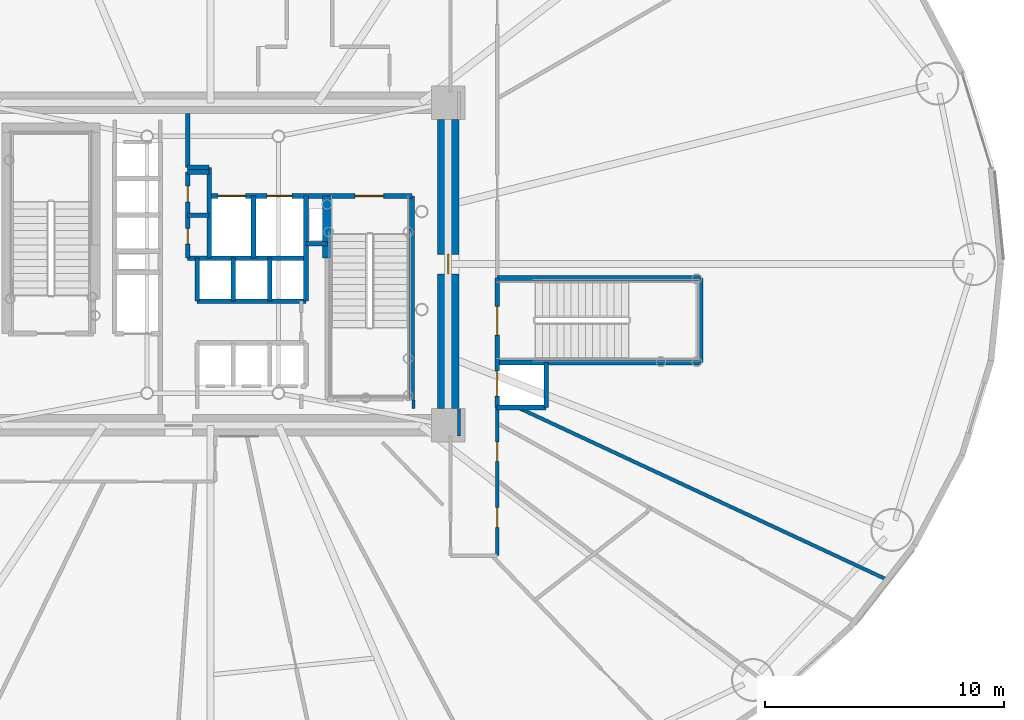
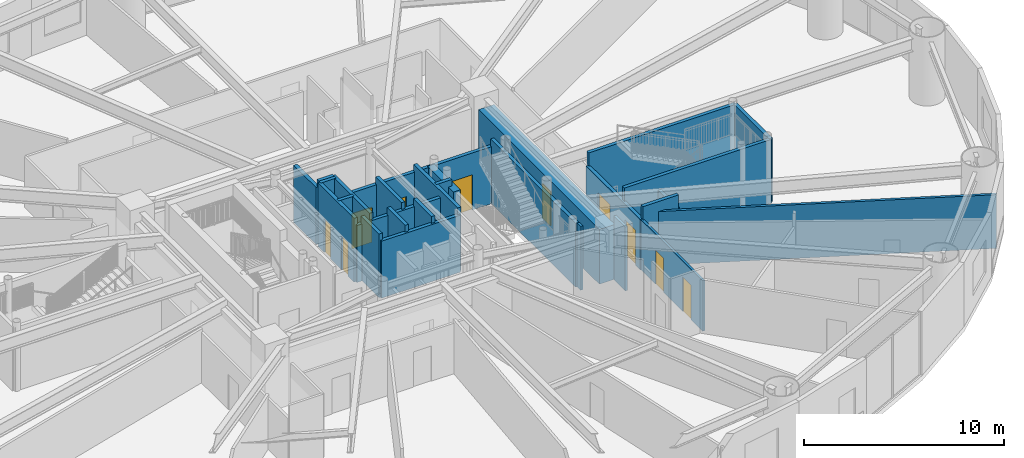
# One storey, part 15 of 27: 28 walls, 10 doors, 10 openings.
"""IFC4 building model written with IfcOpenShell, lengths in metres."""

from ifc_helpers import new_model, si_unit, direction, frame, frame_2d, origin, origin_2d, place, context, subcontext, project, spatial, rectangle, extrude, source, transform, mapped, material, layer, layer_set, type_object, element, fill, save


model = new_model("IFC4")

# Units and contexts
model_context = context("Model", 3, precision=1e-05, world=origin(), true_north=direction((0.0, 1.0)))
body_context = subcontext(model_context, "Body", "Model", "MODEL_VIEW")
ifc_project = project(units=[si_unit("LENGTHUNIT", "METRE"), si_unit("AREAUNIT", "SQUARE_METRE"), si_unit("VOLUMEUNIT", "CUBIC_METRE"), si_unit("PLANEANGLEUNIT", "RADIAN"), si_unit("MASSUNIT", "GRAM", prefix="KILO")], contexts=[model_context])

# Site, building, storey
site_placement = place(None, origin())
site = spatial("IfcSite", under=ifc_project, at=site_placement, CompositionType="ELEMENT")
building_placement = place(site_placement, origin())
building = spatial("IfcBuilding", under=site, at=building_placement, Name="Linh Dai School and Residence Tower", CompositionType="ELEMENT")
storey_placement = place(building_placement, frame((0.0, 0.0, 18.60009765625)))
storey = spatial("IfcBuildingStorey", under=building, at=storey_placement, Name="L04", CompositionType="ELEMENT", Elevation=18.60009765625)

# Wall, openings, doors
ifc_material_1 = material(Name="Autoclaved Aerated Concrete Blockwork", Category="masonry")
ifc_layer_1 = layer(ifc_material_1, 0.135009765625)
ifc_layer_set_1 = layer_set([ifc_layer_1], Name="Autoclaved Aerated Concrete Blockwork")
wall_type_1 = type_object("IfcWallType", Name="IW-CORR-135-EI90", PredefinedType="PARTITIONING", material=ifc_layer_set_1)
wall_1_placement = place(storey_placement, frame((48.0, 14.800048828125, 0.0), z_axis=(0.0, 0.0, 1.0), x_axis=(0.0, 1.0, 0.0)))
wall_1 = element("IfcWall", 1, at=wall_1_placement, inside=storey, type_object=wall_type_1, Name="L04 Interior Partition Wall 062", PredefinedType="PARTITIONING", context=body_context, shape_type="SweptSolid", body=[
    extrude(rectangle(XDim=6.199951171875, YDim=0.135009765625, at=frame_2d((3.10009765625, 0.0))), origin(), (0.0, 0.0, 1.0), 3.0849609375),
])
opening_1_placement = place(wall_1_placement, frame((1.188720703125, 0.0, 0.0)))
opening_1 = element("IfcOpeningElement", 2, at=opening_1_placement, cuts=wall_1, Name="Opening D06", PredefinedType="OPENING", context=body_context, shape_type="SweptSolid", body=[
    extrude(rectangle(XDim=0.820068359375, YDim=2.10009765625, at=origin_2d()), frame((0.41015625, 0.07763671875, 1.050048828125), z_axis=(0.0, -1.0, 0.0), x_axis=(1.0, 0.0, 0.0)), (0.0, 0.0, 1.0), 0.155029296875),
])
opening_2_placement = place(wall_1_placement, frame((3.94287109375, 0.0, 0.0)))
opening_2 = element("IfcOpeningElement", 3, at=opening_2_placement, cuts=wall_1, Name="Opening D06", PredefinedType="OPENING", context=body_context, shape_type="SweptSolid", body=[
    extrude(rectangle(XDim=0.820068359375, YDim=2.10009765625, at=origin_2d()), frame((0.41015625, 0.07763671875, 1.050048828125), z_axis=(0.0, -1.0, 0.0), x_axis=(1.0, 0.0, 0.0)), (0.0, 0.0, 1.0), 0.155029296875),
])
ifc_material_2 = material(Name="Moisture-Resistant Timber Bathroom Door", Category="wood")
door_type_1 = type_object("IfcDoorType", Name="DR-WET-820x2100", OperationType="NOTDEFINED", PredefinedType="DOOR", material=ifc_material_2)
shared_shape_1 = source(origin(), body_context, "Body", "SweptSolid", [
    extrude(rectangle(XDim=0.820068359375, YDim=2.10009765625, at=origin_2d()), frame((0.41015625, 0.02490234375, 1.050048828125), z_axis=(0.0, -1.0, 0.0), x_axis=(1.0, 0.0, 0.0)), (0.0, 0.0, 1.0), 0.050048828125),
])
door_1_placement = place(opening_1_placement, origin())
door_1 = element("IfcDoor", 4, at=door_1_placement, inside=storey, type_object=door_type_1, Name="L04 Student Boys WC Door", OperationType="SINGLE_SWING_RIGHT", OverallHeight=2.10009765625, OverallWidth=0.820068359375, PredefinedType="DOOR", context=body_context, shape_type="MappedRepresentation", body=[
    mapped(shared_shape_1, transform((0.0, 0.0, 0.0), x_axis=(1.0, 0.0, 0.0), y_axis=(0.0, 1.0, 0.0), z_axis=(0.0, 0.0, 1.0), scale=1.0)),
])
fill(opening_1, door_1)
door_2_placement = place(opening_2_placement, origin())
door_2 = element("IfcDoor", 5, at=door_2_placement, inside=storey, type_object=door_type_1, Name="L04 Student Girls WC Door", OperationType="SINGLE_SWING_RIGHT", OverallHeight=2.10009765625, OverallWidth=0.820068359375, PredefinedType="DOOR", context=body_context, shape_type="MappedRepresentation", body=[
    mapped(shared_shape_1, transform((0.0, 0.0, 0.0), x_axis=(1.0, 0.0, 0.0), y_axis=(0.0, 1.0, 0.0), z_axis=(0.0, 0.0, 1.0), scale=1.0)),
])
fill(opening_2, door_2)

# Walls
wall_2_placement = place(storey_placement, frame((44.5, 20.9599609375, 0.0), z_axis=(0.0, 0.0, 1.0), x_axis=(0.0, 1.0, 0.0)))
element("IfcWall", 6, at=wall_2_placement, inside=storey, type_object=wall_type_1, Name="L04 Interior Partition Wall 083", PredefinedType="PARTITIONING", context=body_context, shape_type="SweptSolid", body=[
    extrude(rectangle(XDim=0.360107421875, YDim=0.135009765625, at=frame_2d((0.18017578125, 0.0))), origin(), (0.0, 0.0, 1.0), 3.89990234375),
])
wall_3_placement = place(storey_placement, frame((46.39990234375, 19.800048828125, 0.0), z_axis=(0.0, 0.0, 1.0), x_axis=(0.0, 1.0, 0.0)))
element("IfcWall", 7, at=wall_3_placement, inside=storey, type_object=wall_type_1, Name="L04 Interior Partition Wall 087", PredefinedType="PARTITIONING", context=body_context, shape_type="SweptSolid", body=[
    extrude(rectangle(XDim=1.139892578125, YDim=0.135009765625, at=frame_2d((0.56982421875, 0.0))), origin(), (0.0, 0.0, 1.0), 3.89990234375),
])
ifc_layer_2 = layer(ifc_material_1, 0.14990234375)
ifc_layer_set_2 = layer_set([ifc_layer_2], Name="Autoclaved Aerated Concrete Blockwork")
wall_type_2 = type_object("IfcWallType", Name="IW-SCH-150-EI60", PredefinedType="PARTITIONING", material=ifc_layer_set_2)
wall_4_placement = place(storey_placement, frame((48.866943359375, 21.0, 0.0), z_axis=(0.0, 0.0, 1.0), x_axis=(0.906305939421, -0.422622223942, 0.0)))
element("IfcWall", 8, at=wall_4_placement, inside=storey, type_object=wall_type_2, Name="L04 Interior Partition Wall 071", PredefinedType="PARTITIONING", context=body_context, shape_type="SweptSolid", body=[
    extrude(rectangle(XDim=17.060546875, YDim=0.14990234375, at=frame_2d((8.5302734375, 0.0))), origin(), (0.0, 0.0, 1.0), 3.284912109375),
])

# Wall, openings, doors
ifc_material_3 = material(Name="Concrete B45 (C35/45)", Category="concrete")
ifc_layer_3 = layer(ifc_material_3, 0.199951171875)
ifc_layer_set_3 = layer_set([ifc_layer_3], Name="Concrete B45 (C35/45)")
wall_type_3 = type_object("IfcWallType", Name="IW-SHAFT-200-EI120", PredefinedType="PARTITIONING", material=ifc_layer_set_3)
wall_5_placement = place(storey_placement, frame((35.050048828125, 27.25, 0.0), z_axis=(0.0, 0.0, 1.0), x_axis=(0.0, 1.0, 0.0)))
wall_5 = element("IfcWall", 9, at=wall_5_placement, inside=storey, type_object=wall_type_3, Name="L04 Interior Partition Wall 030", PredefinedType="PARTITIONING", context=body_context, shape_type="SweptSolid", body=[
    extrude(rectangle(XDim=3.60009765625, YDim=0.199951171875, at=frame_2d((1.800048828125, 0.0))), origin(), (0.0, 0.0, 1.0), 3.89990234375),
])
opening_3_placement = place(wall_5_placement, frame((0.590087890625, 0.0, 0.0)))
opening_3 = element("IfcOpeningElement", 10, at=opening_3_placement, cuts=wall_5, Name="Opening AD1", PredefinedType="OPENING", context=body_context, shape_type="SweptSolid", body=[
    extrude(rectangle(XDim=0.659912109375, YDim=2.050048828125, at=origin_2d()), frame((0.330078125, 0.10986328125, 1.02490234375), z_axis=(0.0, -1.0, 0.0), x_axis=(1.0, 0.0, 0.0)), (0.0, 0.0, 1.0), 0.219970703125),
])
opening_4_placement = place(wall_5_placement, frame((2.35009765625, 0.0, 0.0)))
opening_4 = element("IfcOpeningElement", 11, at=opening_4_placement, cuts=wall_5, Name="Opening AD1", PredefinedType="OPENING", context=body_context, shape_type="SweptSolid", body=[
    extrude(rectangle(XDim=0.659912109375, YDim=2.050048828125, at=origin_2d()), frame((0.330078125, 0.10986328125, 1.02490234375), z_axis=(0.0, -1.0, 0.0), x_axis=(1.0, 0.0, 0.0)), (0.0, 0.0, 1.0), 0.219970703125),
])
ifc_material_4 = material(Name="Fire-Rated Steel Riser Access Door", Category="steel")
door_type_2 = type_object("IfcDoorType", Name="DR-ACC-660x2050-FD90S", OperationType="NOTDEFINED", PredefinedType="USERDEFINED", material=ifc_material_4)
shared_shape_2 = source(origin(), body_context, "Body", "SweptSolid", [
    extrude(rectangle(XDim=0.659912109375, YDim=2.050048828125, at=origin_2d()), frame((0.330078125, 0.02490234375, 1.02490234375), z_axis=(0.0, -1.0, 0.0), x_axis=(1.0, 0.0, 0.0)), (0.0, 0.0, 1.0), 0.050048828125),
])
door_3_placement = place(opening_3_placement, origin())
door_3 = element("IfcDoor", 12, at=door_3_placement, inside=storey, type_object=door_type_2, Name="L04 Telecom and Data Riser Access Door", ObjectType="ACCESS DOOR", OperationType="SINGLE_SWING_RIGHT", OverallHeight=2.050048828125, OverallWidth=0.659912109375, PredefinedType="USERDEFINED", context=body_context, shape_type="MappedRepresentation", body=[
    mapped(shared_shape_2, transform((0.0, 0.0, 0.0), x_axis=(1.0, 0.0, 0.0), y_axis=(0.0, 1.0, 0.0), z_axis=(0.0, 0.0, 1.0), scale=1.0)),
])
fill(opening_3, door_3)
door_4_placement = place(opening_4_placement, origin())
door_4 = element("IfcDoor", 13, at=door_4_placement, inside=storey, type_object=door_type_2, Name="L04 Mechanical and Plumbing Riser Access Door", ObjectType="ACCESS DOOR", OperationType="SINGLE_SWING_LEFT", OverallHeight=2.050048828125, OverallWidth=0.659912109375, PredefinedType="USERDEFINED", context=body_context, shape_type="MappedRepresentation", body=[
    mapped(shared_shape_2, transform((0.0, 0.0, 0.0), x_axis=(1.0, 0.0, 0.0), y_axis=(0.0, 1.0, 0.0), z_axis=(0.0, 0.0, 1.0), scale=1.0)),
])
fill(opening_4, door_4)

# Walls
wall_6_placement = place(storey_placement, frame((35.050048828125, 27.25, 0.0), z_axis=(0.0, 0.0, 1.0), x_axis=(1.0, 0.0, 0.0)))
element("IfcWall", 14, at=wall_6_placement, inside=storey, type_object=wall_type_3, Name="L04 Interior Partition Wall 031", PredefinedType="PARTITIONING", context=body_context, shape_type="SweptSolid", body=[
    extrude(rectangle(XDim=4.949951171875, YDim=0.199951171875, at=frame_2d((2.47509765625, 0.0))), origin(), (0.0, 0.0, 1.0), 3.48486328125),
])
for number, where, z_axis, x_axis, name in (
    (15, (35.050048828125, 29.050048828125, 0.0), (0.0, 0.0, 1.0), (1.0, 0.0, 0.0), "L04 Interior Partition Wall 032"),
    (16, (35.050048828125, 30.85009765625, 0.0), (0.0, 0.0, 1.0), (1.0, 0.0, 0.0), "L04 Interior Partition Wall 033"),
):
    element("IfcWall", number, at=place(storey_placement, frame(where, z_axis=z_axis, x_axis=x_axis)), inside=storey, type_object=wall_type_3, Name=name, PredefinedType="PARTITIONING", context=body_context, shape_type="SweptSolid", body=[
        extrude(rectangle(XDim=0.89990234375, YDim=0.199951171875, at=frame_2d((0.449951171875, 0.0))), origin(), (0.0, 0.0, 1.0), 3.89990234375),
    ])
wall_7_placement = place(storey_placement, frame((35.050048828125, 31.050048828125, 0.0), z_axis=(0.0, 0.0, 1.0), x_axis=(0.0, 1.0, 0.0)))
element("IfcWall", 17, at=wall_7_placement, inside=storey, type_object=wall_type_3, Name="L04 Interior Partition Wall 034", PredefinedType="PARTITIONING", context=body_context, shape_type="SweptSolid", body=[
    extrude(rectangle(XDim=2.25, YDim=0.199951171875, at=frame_2d((1.125, 0.0))), origin(), (0.0, 0.0, 1.0), 3.48486328125),
])
wall_8_placement = place(storey_placement, frame((35.050048828125, 31.050048828125, 0.0), z_axis=(0.0, 0.0, 1.0), x_axis=(1.0, 0.0, 0.0)))
element("IfcWall", 18, at=wall_8_placement, inside=storey, type_object=wall_type_3, Name="L04 Interior Partition Wall 035", PredefinedType="PARTITIONING", context=body_context, shape_type="SweptSolid", body=[
    extrude(rectangle(XDim=0.89990234375, YDim=0.199951171875, at=frame_2d((0.449951171875, 0.0))), origin(), (0.0, 0.0, 1.0), 3.89990234375),
])
wall_9_placement = place(storey_placement, frame((35.449951171875, 25.449951171875, 0.0), z_axis=(0.0, 0.0, 1.0), x_axis=(0.0, 1.0, 0.0)))
element("IfcWall", 19, at=wall_9_placement, inside=storey, type_object=wall_type_3, Name="L04 Interior Partition Wall 038", PredefinedType="PARTITIONING", context=body_context, shape_type="SweptSolid", body=[
    extrude(rectangle(XDim=1.800048828125, YDim=0.199951171875, at=frame_2d((0.89990234375, 0.0))), origin(), (0.0, 0.0, 1.0), 3.89990234375),
])
wall_10_placement = place(storey_placement, frame((35.449951171875, 25.449951171875, 0.0), z_axis=(0.0, 0.0, 1.0), x_axis=(1.0, 0.0, 0.0)))
element("IfcWall", 20, at=wall_10_placement, inside=storey, type_object=wall_type_3, Name="L04 Interior Partition Wall 039", PredefinedType="PARTITIONING", context=body_context, shape_type="SweptSolid", body=[
    extrude(rectangle(XDim=4.550048828125, YDim=0.199951171875, at=frame_2d((2.27490234375, 0.0))), origin(), (0.0, 0.0, 1.0), 3.48486328125),
])
wall_11_placement = place(storey_placement, frame((35.949951171875, 27.25, 0.0), z_axis=(0.0, 0.0, 1.0), x_axis=(0.0, 1.0, 0.0)))
element("IfcWall", 21, at=wall_11_placement, inside=storey, type_object=wall_type_3, Name="L04 Interior Partition Wall 040", PredefinedType="PARTITIONING", context=body_context, shape_type="SweptSolid", body=[
    extrude(rectangle(XDim=3.800048828125, YDim=0.199951171875, at=frame_2d((1.89990234375, 0.0))), origin(), (0.0, 0.0, 1.0), 3.89990234375),
])

# Wall, openings, doors
wall_12_placement = place(storey_placement, frame((35.949951171875, 29.85009765625, 0.0), z_axis=(0.0, 0.0, 1.0), x_axis=(1.0, 0.0, 0.0)))
wall_12 = element("IfcWall", 22, at=wall_12_placement, inside=storey, type_object=wall_type_3, Name="L04 Interior Partition Wall 041", PredefinedType="PARTITIONING", context=body_context, shape_type="SweptSolid", body=[
    extrude(rectangle(XDim=8.489990234375, YDim=0.199951171875, at=frame_2d((4.2451171875, 0.0))), origin(), (0.0, 0.0, 1.0), 3.48486328125),
])
opening_5_placement = place(wall_12_placement, frame((6.10009765625, 0.0, 0.0)))
opening_5 = element("IfcOpeningElement", 23, at=opening_5_placement, cuts=wall_12, Name="Opening D01", PredefinedType="OPENING", context=body_context, shape_type="SweptSolid", body=[
    extrude(rectangle(XDim=1.199951171875, YDim=2.14990234375, at=origin_2d()), frame((0.60009765625, 0.10986328125, 1.074951171875), z_axis=(0.0, -1.0, 0.0), x_axis=(1.0, 0.0, 0.0)), (0.0, 0.0, 1.0), 0.219970703125),
])
opening_6_placement = place(wall_12_placement, frame((0.3701171875, 0.0, 0.0)))
opening_6 = element("IfcOpeningElement", 24, at=opening_6_placement, cuts=wall_12, Name="Opening LD-FF1", PredefinedType="OPENING", context=body_context, shape_type="SweptSolid", body=[
    extrude(rectangle(XDim=1.14990234375, YDim=2.14990234375, at=origin_2d()), frame((0.574951171875, 0.10986328125, 1.074951171875), z_axis=(0.0, -1.0, 0.0), x_axis=(1.0, 0.0, 0.0)), (0.0, 0.0, 1.0), 0.219970703125),
])
opening_7_placement = place(wall_12_placement, frame((2.425048828125, 0.0, 0.0)))
opening_7 = element("IfcOpeningElement", 25, at=opening_7_placement, cuts=wall_12, Name="Opening LD-SV1", PredefinedType="OPENING", context=body_context, shape_type="SweptSolid", body=[
    extrude(rectangle(XDim=1.050048828125, YDim=2.14990234375, at=origin_2d()), frame((0.52490234375, 0.10986328125, 1.074951171875), z_axis=(0.0, -1.0, 0.0), x_axis=(1.0, 0.0, 0.0)), (0.0, 0.0, 1.0), 0.219970703125),
])
ifc_material_5 = material(Name="Fire-Rated Steel Door Leaf", Category="steel")
door_type_3 = type_object("IfcDoorType", Name="DR-STAIR-1200x2150-FD90S", OperationType="NOTDEFINED", PredefinedType="DOOR", material=ifc_material_5)
shared_shape_3 = source(origin(), body_context, "Body", "SweptSolid", [
    extrude(rectangle(XDim=1.199951171875, YDim=2.14990234375, at=origin_2d()), frame((0.60009765625, 0.02490234375, 1.074951171875), z_axis=(0.0, -1.0, 0.0), x_axis=(1.0, 0.0, 0.0)), (0.0, 0.0, 1.0), 0.050048828125),
])
door_5_placement = place(opening_5_placement, origin())
door_5 = element("IfcDoor", 26, at=door_5_placement, inside=storey, type_object=door_type_3, Name="L04 Core Smokeproof Exit Stair ST2 Door", OperationType="SINGLE_SWING_LEFT", OverallHeight=2.14990234375, OverallWidth=1.199951171875, PredefinedType="DOOR", context=body_context, shape_type="MappedRepresentation", body=[
    mapped(shared_shape_3, transform((0.0, 0.0, 0.0), x_axis=(1.0, 0.0, 0.0), y_axis=(0.0, 1.0, 0.0), z_axis=(0.0, 0.0, 1.0), scale=1.0)),
])
fill(opening_5, door_5)
ifc_material_6 = material(Name="Fire-Rated Stainless Steel Firefighting Lift Door", Category="steel")
door_type_4 = type_object("IfcDoorType", Name="DR-LD-FF-1150x2150-FD120", OperationType="DOUBLE_DOOR_SLIDING", PredefinedType="USERDEFINED", material=ifc_material_6)
shared_shape_4 = source(origin(), body_context, "Body", "SweptSolid", [
    extrude(rectangle(XDim=1.14990234375, YDim=2.14990234375, at=origin_2d()), frame((0.574951171875, 0.02490234375, 1.074951171875), z_axis=(0.0, -1.0, 0.0), x_axis=(1.0, 0.0, 0.0)), (0.0, 0.0, 1.0), 0.050048828125),
])
door_6_placement = place(opening_6_placement, origin())
door_6 = element("IfcDoor", 27, at=door_6_placement, inside=storey, type_object=door_type_4, Name="L04 Lift FF1 Sliding Landing Door", ObjectType="LANDING DOOR", OperationType="DOUBLE_DOOR_SLIDING", OverallHeight=2.14990234375, OverallWidth=1.14990234375, PredefinedType="USERDEFINED", context=body_context, shape_type="MappedRepresentation", body=[
    mapped(shared_shape_4, transform((0.0, 0.0, 0.0), x_axis=(1.0, 0.0, 0.0), y_axis=(0.0, 1.0, 0.0), z_axis=(0.0, 0.0, 1.0), scale=1.0)),
])
fill(opening_6, door_6)
ifc_material_7 = material(Name="Brushed Stainless Steel Lift Landing Door", Category="steel")
door_type_5 = type_object("IfcDoorType", Name="DR-LD-PASS-1050x2150", OperationType="DOUBLE_DOOR_SLIDING", PredefinedType="USERDEFINED", material=ifc_material_7)
shared_shape_5 = source(origin(), body_context, "Body", "SweptSolid", [
    extrude(rectangle(XDim=1.050048828125, YDim=2.14990234375, at=origin_2d()), frame((0.52490234375, 0.02490234375, 1.074951171875), z_axis=(0.0, -1.0, 0.0), x_axis=(1.0, 0.0, 0.0)), (0.0, 0.0, 1.0), 0.050048828125),
])
door_7_placement = place(opening_7_placement, origin())
door_7 = element("IfcDoor", 28, at=door_7_placement, inside=storey, type_object=door_type_5, Name="L04 Lift SV1 Sliding Landing Door", ObjectType="LANDING DOOR", OperationType="DOUBLE_DOOR_SLIDING", OverallHeight=2.14990234375, OverallWidth=1.050048828125, PredefinedType="USERDEFINED", context=body_context, shape_type="MappedRepresentation", body=[
    mapped(shared_shape_5, transform((0.0, 0.0, 0.0), x_axis=(1.0, 0.0, 0.0), y_axis=(0.0, 1.0, 0.0), z_axis=(0.0, 0.0, 1.0), scale=1.0)),
])
fill(opening_7, door_7)

# Walls
wall_13_placement = place(storey_placement, frame((36.9599609375, 25.449951171875, 0.0), z_axis=(0.0, 0.0, 1.0), x_axis=(0.0, 1.0, 0.0)))
element("IfcWall", 29, at=wall_13_placement, inside=storey, type_object=wall_type_3, Name="L04 Interior Partition Wall 044", PredefinedType="PARTITIONING", context=body_context, shape_type="SweptSolid", body=[
    extrude(rectangle(XDim=1.800048828125, YDim=0.199951171875, at=frame_2d((0.89990234375, 0.0))), origin(), (0.0, 0.0, 1.0), 3.89990234375),
])
wall_14_placement = place(storey_placement, frame((37.800048828125, 27.25, 0.0), z_axis=(0.0, 0.0, 1.0), x_axis=(0.0, 1.0, 0.0)))
element("IfcWall", 30, at=wall_14_placement, inside=storey, type_object=wall_type_3, Name="L04 Interior Partition Wall 046", PredefinedType="PARTITIONING", context=body_context, shape_type="SweptSolid", body=[
    extrude(rectangle(XDim=2.60009765625, YDim=0.199951171875, at=frame_2d((1.300048828125, 0.0))), origin(), (0.0, 0.0, 1.0), 3.89990234375),
])
wall_15_placement = place(storey_placement, frame((38.47998046875, 25.449951171875, 0.0), z_axis=(0.0, 0.0, 1.0), x_axis=(0.0, 1.0, 0.0)))
element("IfcWall", 31, at=wall_15_placement, inside=storey, type_object=wall_type_3, Name="L04 Interior Partition Wall 048", PredefinedType="PARTITIONING", context=body_context, shape_type="SweptSolid", body=[
    extrude(rectangle(XDim=1.800048828125, YDim=0.199951171875, at=frame_2d((0.89990234375, 0.0))), origin(), (0.0, 0.0, 1.0), 3.89990234375),
])
wall_16_placement = place(storey_placement, frame((40.0, 25.449951171875, 0.0), z_axis=(0.0, 0.0, 1.0), x_axis=(0.0, 1.0, 0.0)))
element("IfcWall", 32, at=wall_16_placement, inside=storey, type_object=wall_type_3, Name="L04 Interior Partition Wall 053", PredefinedType="PARTITIONING", context=body_context, shape_type="SweptSolid", body=[
    extrude(rectangle(XDim=4.400146484375, YDim=0.199951171875, at=frame_2d((2.2001953125, 0.0))), origin(), (0.0, 0.0, 1.0), 3.89990234375),
])
wall_17_placement = place(storey_placement, frame((40.0, 27.85009765625, 0.0), z_axis=(0.0, 0.0, 1.0), x_axis=(1.0, 0.0, 0.0)))
element("IfcWall", 33, at=wall_17_placement, inside=storey, type_object=wall_type_3, Name="L04 Interior Partition Wall 054", PredefinedType="PARTITIONING", context=body_context, shape_type="SweptSolid", body=[
    extrude(rectangle(XDim=0.89990234375, YDim=0.199951171875, at=frame_2d((0.449951171875, 0.0))), origin(), (0.0, 0.0, 1.0), 3.89990234375),
])
wall_18_placement = place(storey_placement, frame((44.43994140625, 21.330078125, 0.0), z_axis=(0.0, 0.0, 1.0), x_axis=(0.0, 1.0, 0.0)))
element("IfcWall", 34, at=wall_18_placement, inside=storey, type_object=wall_type_3, Name="L04 Interior Partition Wall 058", PredefinedType="PARTITIONING", context=body_context, shape_type="SweptSolid", body=[
    extrude(rectangle(XDim=8.52001953125, YDim=0.199951171875, at=frame_2d((4.260009765625, 0.0))), origin(), (0.0, 0.0, 1.0), 3.89990234375),
])

# Wall, openings, doors
wall_19_placement = place(storey_placement, frame((48.0, 21.010009765625, 0.0), z_axis=(0.0, 0.0, 1.0), x_axis=(0.0, 1.0, 0.0)))
wall_19 = element("IfcWall", 35, at=wall_19_placement, inside=storey, type_object=wall_type_3, Name="L04 Interior Partition Wall 065", PredefinedType="PARTITIONING", context=body_context, shape_type="SweptSolid", body=[
    extrude(rectangle(XDim=5.409912109375, YDim=0.199951171875, at=frame_2d((2.705078125, 0.0))), origin(), (0.0, 0.0, 1.0), 3.0849609375),
])
opening_8_placement = place(wall_19_placement, frame((3.02001953125, 0.0, 0.0)))
opening_8 = element("IfcOpeningElement", 36, at=opening_8_placement, cuts=wall_19, Name="Opening D01", PredefinedType="OPENING", context=body_context, shape_type="SweptSolid", body=[
    extrude(rectangle(XDim=1.199951171875, YDim=2.14990234375, at=origin_2d()), frame((0.60009765625, 0.10986328125, 1.074951171875), z_axis=(0.0, -1.0, 0.0), x_axis=(1.0, 0.0, 0.0)), (0.0, 0.0, 1.0), 0.219970703125),
])
opening_9_placement = place(wall_19_placement, frame((0.465087890625, 0.0, 0.0)))
opening_9 = element("IfcOpeningElement", 37, at=opening_9_placement, cuts=wall_19, Name="Opening LD-SL2", PredefinedType="OPENING", context=body_context, shape_type="SweptSolid", body=[
    extrude(rectangle(XDim=1.050048828125, YDim=2.14990234375, at=origin_2d()), frame((0.52490234375, 0.10986328125, 1.074951171875), z_axis=(0.0, -1.0, 0.0), x_axis=(1.0, 0.0, 0.0)), (0.0, 0.0, 1.0), 0.219970703125),
])
door_8_placement = place(opening_8_placement, origin())
door_8 = element("IfcDoor", 38, at=door_8_placement, inside=storey, type_object=door_type_3, Name="L04 Exit Stair STS2 Door", OperationType="SINGLE_SWING_LEFT", OverallHeight=2.14990234375, OverallWidth=1.199951171875, PredefinedType="DOOR", context=body_context, shape_type="MappedRepresentation", body=[
    mapped(shared_shape_3, transform((0.0, 0.0, 0.0), x_axis=(1.0, 0.0, 0.0), y_axis=(0.0, 1.0, 0.0), z_axis=(0.0, 0.0, 1.0), scale=1.0)),
])
fill(opening_8, door_8)
door_9_placement = place(opening_9_placement, origin())
door_9 = element("IfcDoor", 39, at=door_9_placement, inside=storey, type_object=door_type_5, Name="L04 Lift SL2 Sliding Landing Door", ObjectType="LANDING DOOR", OperationType="DOUBLE_DOOR_SLIDING", OverallHeight=2.14990234375, OverallWidth=1.050048828125, PredefinedType="USERDEFINED", context=body_context, shape_type="MappedRepresentation", body=[
    mapped(shared_shape_5, transform((0.0, 0.0, 0.0), x_axis=(1.0, 0.0, 0.0), y_axis=(0.0, 1.0, 0.0), z_axis=(0.0, 0.0, 1.0), scale=1.0)),
])
fill(opening_9, door_9)

# Walls
wall_20_placement = place(storey_placement, frame((48.0, 21.0, 0.0), z_axis=(0.0, 0.0, 1.0), x_axis=(1.0, 0.0, 0.0)))
element("IfcWall", 40, at=wall_20_placement, inside=storey, type_object=wall_type_3, Name="L04 Interior Partition Wall 066", PredefinedType="PARTITIONING", context=body_context, shape_type="SweptSolid", body=[
    extrude(rectangle(XDim=2.050048828125, YDim=0.199951171875, at=frame_2d((1.02490234375, 0.0))), origin(), (0.0, 0.0, 1.0), 3.89990234375),
])
for number, where, z_axis, x_axis, name in (
    (41, (48.0, 22.8798828125, 0.0), (0.0, 0.0, 1.0), (1.0, 0.0, 0.0), "L04 Interior Partition Wall 067"),
    (42, (48.0, 26.419921875, 0.0), (0.0, 0.0, 1.0), (1.0, 0.0, 0.0), "L04 Interior Partition Wall 069"),
):
    element("IfcWall", number, at=place(storey_placement, frame(where, z_axis=z_axis, x_axis=x_axis)), inside=storey, type_object=wall_type_3, Name=name, PredefinedType="PARTITIONING", context=body_context, shape_type="SweptSolid", body=[
        extrude(rectangle(XDim=8.52001953125, YDim=0.199951171875, at=frame_2d((4.260009765625, 0.0))), origin(), (0.0, 0.0, 1.0), 3.89990234375),
    ])
wall_21_placement = place(storey_placement, frame((50.050048828125, 21.0, 0.0), z_axis=(0.0, 0.0, 1.0), x_axis=(0.0, 1.0, 0.0)))
element("IfcWall", 43, at=wall_21_placement, inside=storey, type_object=wall_type_3, Name="L04 Interior Partition Wall 073", PredefinedType="PARTITIONING", context=body_context, shape_type="SweptSolid", body=[
    extrude(rectangle(XDim=1.8798828125, YDim=0.199951171875, at=frame_2d((0.93994140625, 0.0))), origin(), (0.0, 0.0, 1.0), 3.0849609375),
])
wall_22_placement = place(storey_placement, frame((56.52001953125, 22.8798828125, 0.0), z_axis=(0.0, 0.0, 1.0), x_axis=(0.0, 1.0, 0.0)))
element("IfcWall", 44, at=wall_22_placement, inside=storey, type_object=wall_type_3, Name="L04 Interior Partition Wall 075", PredefinedType="PARTITIONING", context=body_context, shape_type="SweptSolid", body=[
    extrude(rectangle(XDim=3.5400390625, YDim=0.199951171875, at=frame_2d((1.77001953125, 0.0))), origin(), (0.0, 0.0, 1.0), 3.89990234375),
])
ifc_layer_4 = layer(ifc_material_3, 0.39990234375)
ifc_layer_set_4 = layer_set([ifc_layer_4], Name="Concrete B45 (C35/45)")
wall_type_4 = type_object("IfcWallType", Name="WL-CORE400", PredefinedType="SHEAR", material=ifc_layer_set_4)
wall_23_placement = place(storey_placement, frame((40.89990234375, 27.25, 0.0), z_axis=(0.0, 0.0, 1.0), x_axis=(0.0, 1.0, 0.0)))
element("IfcWall", 45, at=wall_23_placement, inside=storey, type_object=wall_type_4, Name="L04 Internal Core Shear Wall IE", PredefinedType="SHEAR", context=body_context, shape_type="SweptSolid", body=[
    extrude(rectangle(XDim=2.60009765625, YDim=0.39990234375, at=frame_2d((1.300048828125, 0.0))), origin(), (0.0, 0.0, 1.0), 3.5),
])

# Wall, opening, door
ifc_material_8 = material(Name="Concrete B60 (C50/60)", Category="concrete")
ifc_layer_5 = layer(ifc_material_8, 0.89990234375)
ifc_layer_set_5 = layer_set([ifc_layer_5], Name="Concrete B60 (C50/60)")
wall_type_5 = type_object("IfcWallType", Name="WL-CORE900", PredefinedType="SHEAR", material=ifc_layer_set_5)
wall_24_placement = place(storey_placement, frame((45.949951171875, 33.050048828125, 0.0), z_axis=(0.0, 0.0, 1.0), x_axis=(0.0, -1.0, 0.0)))
wall_24 = element("IfcWall", 46, at=wall_24_placement, inside=storey, type_object=wall_type_5, Name="L04 Central Core Shear Wall E", PredefinedType="SHEAR", context=body_context, shape_type="SweptSolid", body=[
    extrude(rectangle(XDim=12.10009765625, YDim=0.89990234375, at=frame_2d((6.050048828125, 0.0))), origin(), (0.0, 0.0, 1.0), 3.349853515625),
])
opening_10_placement = place(wall_24_placement, frame((5.639892578125, 0.0, 0.0)))
opening_10 = element("IfcOpeningElement", 47, at=opening_10_placement, cuts=wall_24, Name="Opening D06", PredefinedType="OPENING", context=body_context, shape_type="SweptSolid", body=[
    extrude(rectangle(XDim=0.820068359375, YDim=2.10009765625, at=origin_2d()), frame((0.41015625, 0.4599609375, 1.050048828125), z_axis=(0.0, -1.0, 0.0), x_axis=(1.0, 0.0, 0.0)), (0.0, 0.0, 1.0), 0.919921875),
])
door_10_placement = place(opening_10_placement, origin())
door_10 = element("IfcDoor", 48, at=door_10_placement, inside=storey, type_object=door_type_1, Name="L04 Firefighting Lobby Door", OperationType="SINGLE_SWING_RIGHT", OverallHeight=2.10009765625, OverallWidth=0.820068359375, PredefinedType="DOOR", context=body_context, shape_type="MappedRepresentation", body=[
    mapped(shared_shape_1, transform((0.0, 0.0, 0.0), x_axis=(1.0, 0.0, 0.0), y_axis=(0.0, 1.0, 0.0), z_axis=(0.0, 0.0, 1.0), scale=1.0)),
])
fill(opening_10, door_10)

save(model, "model.ifc")
